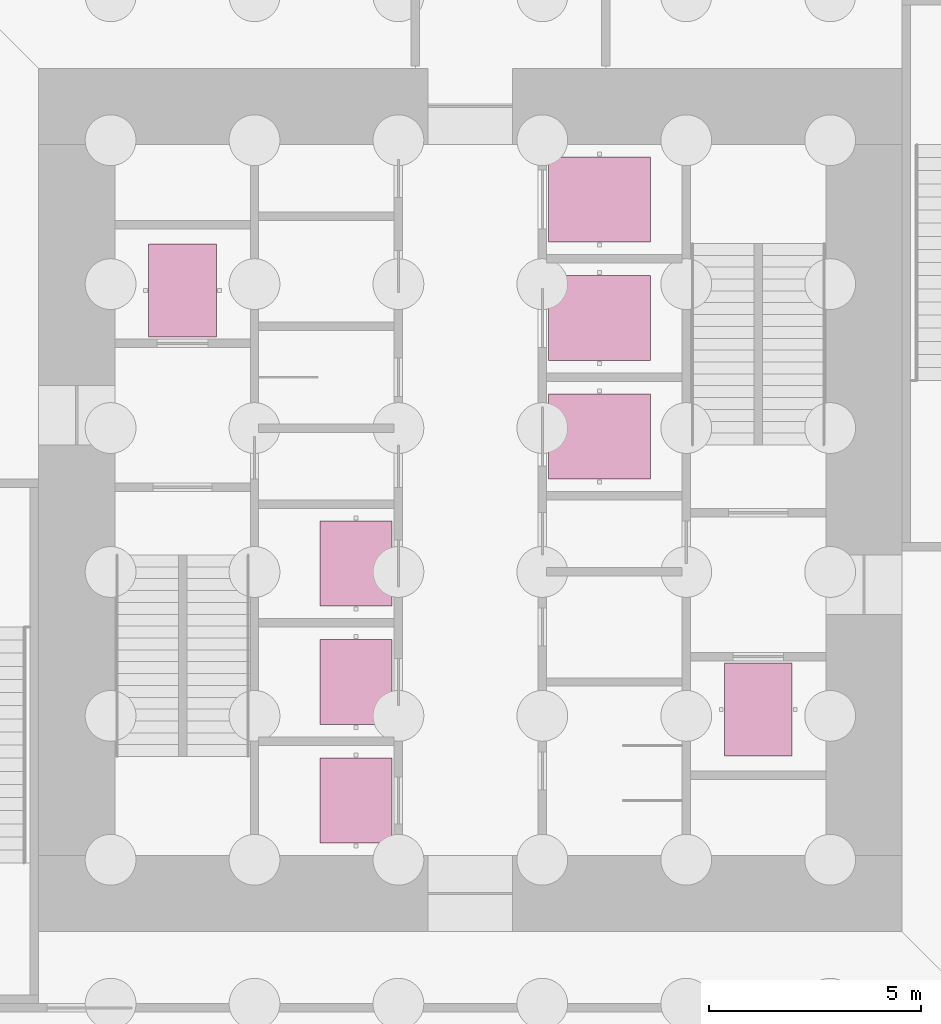
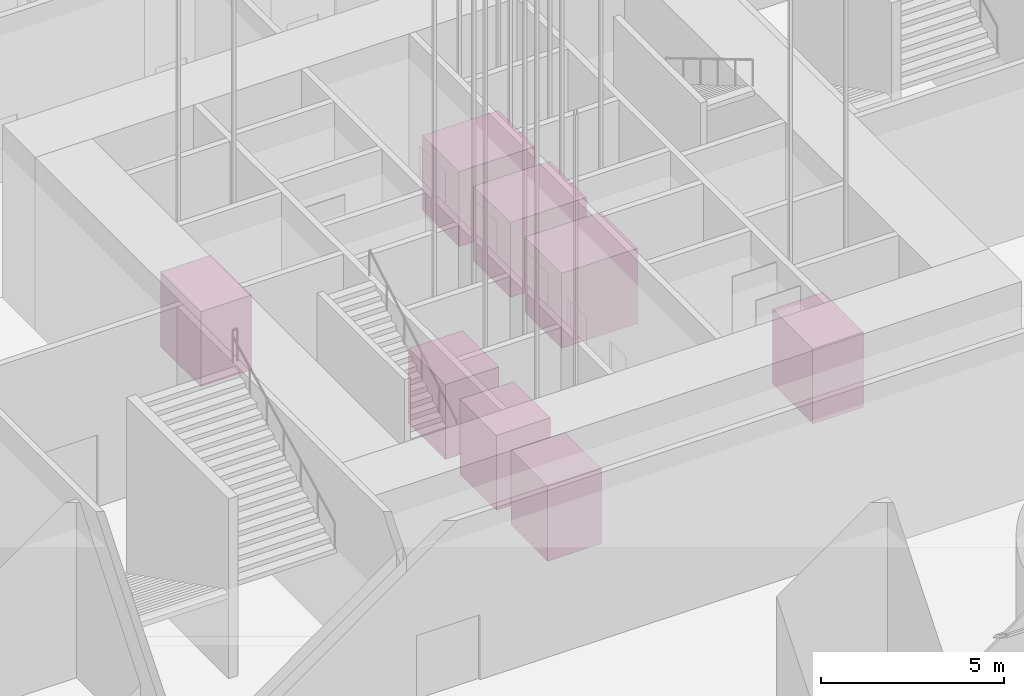
# One storey, part 46 of 46: 8 transport elements.
"""IFC4 building model written with IfcOpenShell, lengths in metres."""

from ifc_helpers import new_model, si_unit, direction, frame, origin, origin_2d, place, context, subcontext, project, spatial, rectangle, extrude, material, type_object, element, save


model = new_model("IFC4")

# Units and contexts
model_context = context("Model", 3, precision=1e-05, world=origin(), true_north=direction((0.0, 1.0)))
body_context = subcontext(model_context, "Body", "Model", "MODEL_VIEW")
ifc_project = project(units=[si_unit("LENGTHUNIT", "METRE"), si_unit("AREAUNIT", "SQUARE_METRE"), si_unit("VOLUMEUNIT", "CUBIC_METRE"), si_unit("PLANEANGLEUNIT", "RADIAN"), si_unit("MASSUNIT", "GRAM", prefix="KILO")], contexts=[model_context])

# Site, building, storey
site_placement = place(None, origin())
site = spatial("IfcSite", under=ifc_project, at=site_placement, CompositionType="ELEMENT")
building_placement = place(site_placement, origin())
building = spatial("IfcBuilding", under=site, at=building_placement, Name="Svetlomir Tower", CompositionType="ELEMENT")
storey_placement = place(building_placement, origin())
storey = spatial("IfcBuildingStorey", under=building, at=storey_placement, Name="L00", CompositionType="ELEMENT", Elevation=0.0)

# Transport elements
ifc_material_1 = material(Name="Steel lift car", Category="steel")
transport_element_type_1 = type_object("IfcTransportElementType", Name="LIFT FIREFIGHTING", PredefinedType="ELEVATOR", material=ifc_material_1)
for number, where, z_axis, x_axis, name in (
    (1, (14.199951171875, 25.949951171875, 0.0), (0.0, 0.0, 1.0), (1.0, 0.0, 0.0), "Lift FL1"),
    (2, (27.800048828125, 16.050048828125, 0.0), (0.0, 0.0, 1.0), (1.0, 0.0, 0.0), "Lift FL2"),
):
    element("IfcTransportElement", number, at=place(storey_placement, frame(where, z_axis=z_axis, x_axis=x_axis)), inside=storey, type_object=transport_element_type_1, Name=name, PredefinedType="ELEVATOR", context=body_context, shape_type="SweptSolid", body=[
        extrude(rectangle(XDim=1.60009765625, YDim=2.199951171875, at=origin_2d()), origin(), (0.0, 0.0, 1.0), 2.5),
    ])
ifc_material_2 = material(Name="Steel lift car", Category="steel")
transport_element_type_2 = type_object("IfcTransportElementType", Name="LIFT LOCAL", PredefinedType="ELEVATOR", material=ifc_material_2)
for number, where, z_axis, x_axis, name in (
    (3, (18.300048828125, 13.89990234375, 0.0), (0.0, 0.0, 1.0), (1.0, 0.0, 0.0), "Lift LA1"),
    (4, (18.300048828125, 16.699951171875, 0.0), (0.0, 0.0, 1.0), (1.0, 0.0, 0.0), "Lift LA2"),
    (5, (18.300048828125, 19.5, 0.0), (0.0, 0.0, 1.0), (1.0, 0.0, 0.0), "Lift LA3"),
):
    element("IfcTransportElement", number, at=place(storey_placement, frame(where, z_axis=z_axis, x_axis=x_axis)), inside=storey, type_object=transport_element_type_2, Name=name, PredefinedType="ELEVATOR", context=body_context, shape_type="SweptSolid", body=[
        extrude(rectangle(XDim=1.699951171875, YDim=2.0, at=origin_2d()), origin(), (0.0, 0.0, 1.0), 2.5),
    ])
ifc_material_3 = material(Name="Steel lift car", Category="steel")
transport_element_type_3 = type_object("IfcTransportElementType", Name="LIFT SHUTTLE", PredefinedType="ELEVATOR", material=ifc_material_3)
for number, where, z_axis, x_axis, name in (
    (6, (24.050048828125, 22.5, 0.0), (0.0, 0.0, 1.0), (1.0, 0.0, 0.0), "Lift SH1"),
    (7, (24.050048828125, 25.300048828125, 0.0), (0.0, 0.0, 1.0), (1.0, 0.0, 0.0), "Lift SH2"),
    (8, (24.050048828125, 28.10009765625, 0.0), (0.0, 0.0, 1.0), (1.0, 0.0, 0.0), "Lift SH3"),
):
    element("IfcTransportElement", number, at=place(storey_placement, frame(where, z_axis=z_axis, x_axis=x_axis)), inside=storey, type_object=transport_element_type_3, Name=name, PredefinedType="ELEVATOR", context=body_context, shape_type="SweptSolid", body=[
        extrude(rectangle(XDim=2.39990234375, YDim=2.0, at=origin_2d()), origin(), (0.0, 0.0, 1.0), 2.5),
    ])

save(model, "model.ifc")
